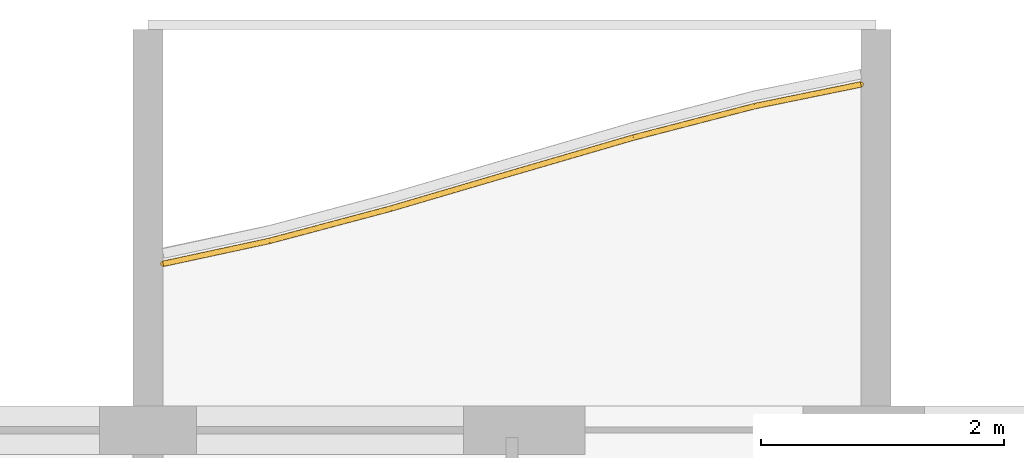
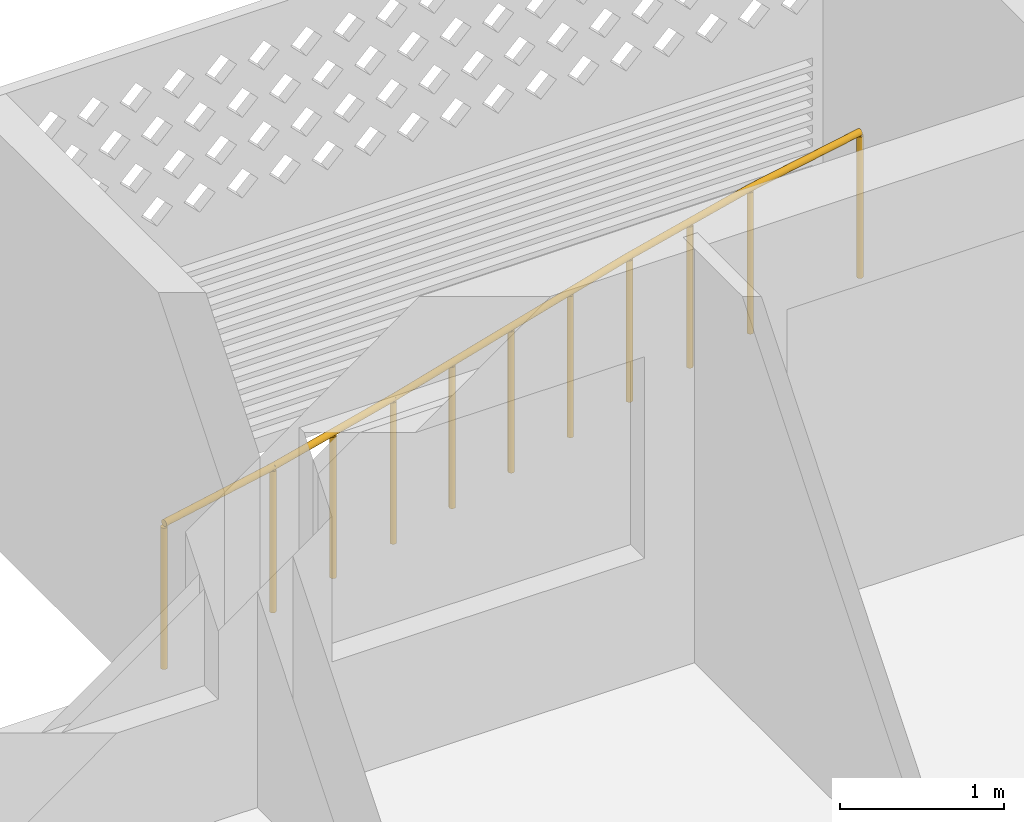
# One storey, part 19 of 26: 1 railing.
"""IFC4 building model written with IfcOpenShell, lengths in metres."""

from ifc_helpers import new_model, si_unit, direction, frame, origin, origin_2d, place, context, subcontext, project, spatial, circle, extrude, material, type_object, element, save


model = new_model("IFC4")

# Units and contexts
model_context = context("Model", 3, precision=1e-05, world=origin(), true_north=direction((0.0, 1.0)))
body_context = subcontext(model_context, "Body", "Model", "MODEL_VIEW")
ifc_project = project(units=[si_unit("LENGTHUNIT", "METRE"), si_unit("AREAUNIT", "SQUARE_METRE"), si_unit("VOLUMEUNIT", "CUBIC_METRE"), si_unit("PLANEANGLEUNIT", "RADIAN"), si_unit("MASSUNIT", "GRAM", prefix="KILO")], contexts=[model_context])

# Site, building, storey
site_placement = place(None, origin())
site = spatial("IfcSite", under=ifc_project, at=site_placement, CompositionType="ELEMENT")
building_placement = place(site_placement, origin())
building = spatial("IfcBuilding", under=site, at=building_placement, Name="Poui Terraces", CompositionType="ELEMENT")
storey_placement = place(building_placement, frame((0.0, 0.0, 228.0)))
storey = spatial("IfcBuildingStorey", under=building, at=storey_placement, Name="L63", CompositionType="ELEMENT", Elevation=228.0)

# Railing
ifc_material = material(Name="Painted steel fretwork", Category="steel")
railing_type = type_object("IfcRailingType", Name="BALCONY GUARD 1100", PredefinedType="GUARDRAIL", material=ifc_material)
railing_placement = place(storey_placement, frame((48.125, 42.57080078125, 0.0)))
element("IfcRailing", 1, at=railing_placement, inside=storey, type_object=railing_type, Name="BALCONY GUARD", PredefinedType="GUARDRAIL", context=body_context, shape_type="SweptSolid", body=[
    extrude(circle(Radius=0.02392578125, at=origin_2d()), frame((0.0, 0.0, 1.076171875), z_axis=(0.977522146276, 0.210832762018, 0.0), x_axis=(-0.210832762018, 0.977522146276, 0.0)), (0.0, 0.0, 1.0), 0.89501953125),
    extrude(circle(Radius=0.02392578125, at=origin_2d()), frame((0.875, 0.188720703125, 1.076171875), z_axis=(0.966367949348, 0.257163345896, 0.0), x_axis=(-0.257163345896, 0.966367949348, 0.0)), (0.0, 0.0, 1.0), 1.034912109375),
    extrude(circle(Radius=0.02392578125, at=origin_2d()), frame((1.875, 0.454833984375, 1.076171875), z_axis=(0.959346851742, 0.282229725671, 0.0), x_axis=(-0.282229725671, 0.959346851742, 0.0)), (0.0, 0.0, 1.0), 1.04248046875),
    extrude(circle(Radius=0.02392578125, at=origin_2d()), frame((2.875, 0.7490234375, 1.076171875), z_axis=(0.960041991036, 0.279855990551, 0.0), x_axis=(-0.279855990551, 0.960041991036, 0.0)), (0.0, 0.0, 1.0), 1.04150390625),
    extrude(circle(Radius=0.02392578125, at=origin_2d()), frame((3.875, 1.04052734375, 1.076171875), z_axis=(0.968050037836, 0.250757102086, 0.0), x_axis=(-0.250757102086, 0.968050037836, 0.0)), (0.0, 0.0, 1.0), 1.032958984375),
    extrude(circle(Radius=0.02392578125, at=origin_2d()), frame((4.875, 1.299560546875, 1.076171875), z_axis=(0.979773441626, 0.200109977475, 0.0), x_axis=(-0.200109977475, 0.979773441626, 0.0)), (0.0, 0.0, 1.0), 0.89306640625),
    extrude(circle(Radius=0.02099609375, at=origin_2d()), origin(), (0.0, 0.0, 1.0), 1.052001953125),
    extrude(circle(Radius=0.02099609375, at=origin_2d()), frame((0.875, 0.188720703125, 0.0)), (0.0, 0.0, 1.0), 1.052001953125),
    extrude(circle(Radius=0.02099609375, at=origin_2d()), frame((1.375, 0.32177734375, 0.0)), (0.0, 0.0, 1.0), 1.052001953125),
    extrude(circle(Radius=0.02099609375, at=origin_2d()), frame((1.875, 0.454833984375, 0.0)), (0.0, 0.0, 1.0), 1.052001953125),
    extrude(circle(Radius=0.02099609375, at=origin_2d()), frame((2.375, 0.60205078125, 0.0)), (0.0, 0.0, 1.0), 1.052001953125),
    extrude(circle(Radius=0.02099609375, at=origin_2d()), frame((2.875, 0.7490234375, 0.0)), (0.0, 0.0, 1.0), 1.052001953125),
    extrude(circle(Radius=0.02099609375, at=origin_2d()), frame((3.375, 0.894775390625, 0.0)), (0.0, 0.0, 1.0), 1.052001953125),
    extrude(circle(Radius=0.02099609375, at=origin_2d()), frame((3.875, 1.04052734375, 0.0)), (0.0, 0.0, 1.0), 1.052001953125),
    extrude(circle(Radius=0.02099609375, at=origin_2d()), frame((4.375, 1.169921875, 0.0)), (0.0, 0.0, 1.0), 1.052001953125),
    extrude(circle(Radius=0.02099609375, at=origin_2d()), frame((4.875, 1.299560546875, 0.0)), (0.0, 0.0, 1.0), 1.052001953125),
    extrude(circle(Radius=0.02099609375, at=origin_2d()), frame((5.75, 1.478271484375, 0.0)), (0.0, 0.0, 1.0), 1.052001953125),
])

save(model, "model.ifc")
